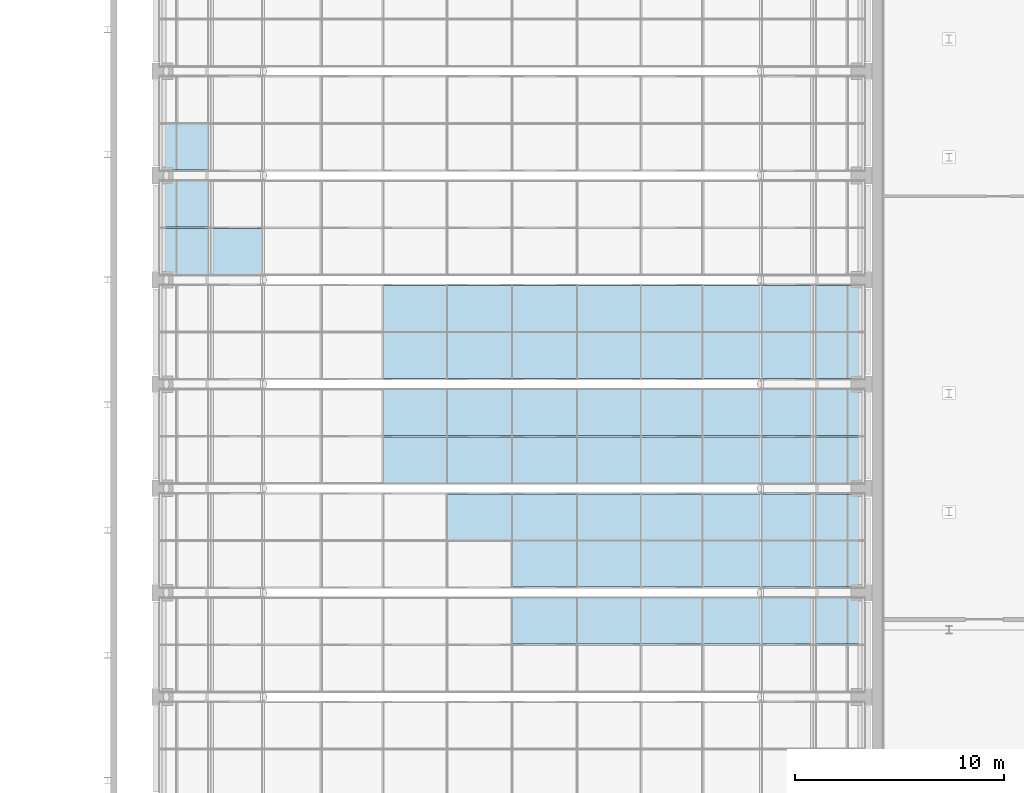
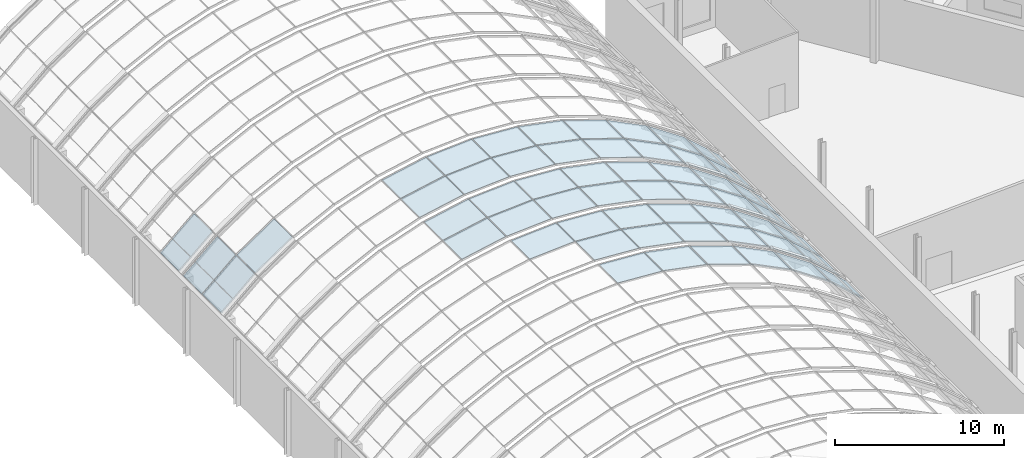
# One storey, part 114 of 182: 55 plates, 6 elements without a shape of their own.
"""IFC4 building model written with IfcOpenShell, lengths in metres."""

import ifcopenshell
import ifcopenshell.guid

model = None  # the IFC model being written
_history = None  # IfcOwnerHistory: only IFC2X3 demands one
_inside = {}  # id of a spatial element -> (the spatial element, [elements in it])
_under = {}  # id of a project, library or spatial element -> (it, [spatial elements below it])
_declared = {}  # id of a project -> (the project, [libraries it declares])
_typed = {}  # id of a type object -> (the type object, [elements of that type])
_made_of = {}  # id of a material, layer set ... -> (it, [elements and type objects made of it])


def new_model(schema):
    """Start an empty IFC model of exactly this schema.

    Asked for "IFC4X3", IfcOpenShell would pick the latest addendum, in which some entities
    have other attributes; the version numbers below select the first issue.
    IFC2X3 requires an IfcOwnerHistory on every rooted entity: one is made here for all.
    """
    global model, _history
    if schema == "IFC4X3":
        model = ifcopenshell.file(schema_version=(4, 3, 0, 0))
    else:
        model = ifcopenshell.file(schema=schema)
    _inside.clear()
    _under.clear()
    _declared.clear()
    _typed.clear()
    _made_of.clear()
    _history = None
    if model.schema == "IFC2X3":
        org = make("IfcOrganization", Name="unknown")
        user = make(
            "IfcPersonAndOrganization",
            ThePerson=make("IfcPerson", FamilyName="unknown"),
            TheOrganization=org,
        )
        app = make(
            "IfcApplication",
            ApplicationDeveloper=org,
            Version="unknown",
            ApplicationFullName="unknown",
            ApplicationIdentifier="unknown",
        )
        _history = make(
            "IfcOwnerHistory",
            OwningUser=user,
            OwningApplication=app,
            ChangeAction="ADDED",
            CreationDate=0,
        )
    return model


def make(cls, **values):
    """One entity of the class cls with the attributes given. An attribute that is None is left unset."""
    return model.create_entity(
        cls, **{name: value for name, value in values.items() if value is not None}
    )


def rooted(cls, **values):
    """An entity with a GlobalId (a new one), such as an element, a storey or a relation."""
    return make(cls, GlobalId=ifcopenshell.guid.new(), OwnerHistory=_history, **values)


def si_unit(unit_type, name, prefix=None):
    """IfcSIUnit, for example si_unit("LENGTHUNIT", "METRE", prefix="MILLI")."""
    return make("IfcSIUnit", UnitType=unit_type, Prefix=prefix, Name=name)


def assignment(units):
    """IfcUnitAssignment: the units of a project."""
    return None if units is None else make("IfcUnitAssignment", Units=units)


def point(xyz):
    """IfcCartesianPoint."""
    return None if xyz is None else make("IfcCartesianPoint", Coordinates=xyz)


def direction(xyz):
    """IfcDirection."""
    return None if xyz is None else make("IfcDirection", DirectionRatios=xyz)


def frame(location, z_axis=None, x_axis=None):
    """IfcAxis2Placement3D, a coordinate frame: its origin and axes. An axis left out is left unset."""
    return make(
        "IfcAxis2Placement3D",
        Location=point(location),
        Axis=direction(z_axis),
        RefDirection=direction(x_axis),
    )


def origin():
    """The frame at (0, 0, 0) with its axes left unset."""
    return frame((0.0, 0.0, 0.0))


def place(relative_to, where):
    """IfcLocalPlacement: puts the frame where relative to a parent placement (None: the world)."""
    return make(
        "IfcLocalPlacement", PlacementRelTo=relative_to, RelativePlacement=where
    )


def context(
    kind, dimensions, precision=None, world=None, true_north=None, identifier=None
):
    """IfcGeometricRepresentationContext, for example the 3D "Model" context."""
    return make(
        "IfcGeometricRepresentationContext",
        ContextIdentifier=identifier,
        ContextType=kind,
        CoordinateSpaceDimension=dimensions,
        Precision=precision,
        WorldCoordinateSystem=world,
        TrueNorth=true_north,
    )


def subcontext(parent, identifier, kind, view, scale=None):
    """IfcGeometricRepresentationSubContext, for example "Body" below "Model"."""
    return make(
        "IfcGeometricRepresentationSubContext",
        ContextIdentifier=identifier,
        ContextType=kind,
        ParentContext=parent,
        TargetScale=scale,
        TargetView=view,
    )


def project(units=None, contexts=None):
    """IfcProject with its units and contexts."""
    return rooted(
        "IfcProject",
        Name="project",
        RepresentationContexts=contexts,
        UnitsInContext=assignment(units),
    )


def spatial(cls, under=None, at=None, **own):
    """A site, building, storey or space (cls), placed at a placement, below another one or the project."""
    s = rooted(cls, ObjectPlacement=at, **own)
    if under is not None:
        _under.setdefault(under.id(), (under, []))[1].append(s)
    return s


def polyline(points):
    """IfcPolyline through the points."""
    return make("IfcPolyline", Points=[point(p) for p in points])


def outline(outer, holes=None, kind="AREA"):
    """IfcArbitraryClosedProfileDef: a profile drawn as a closed curve; with holes, ...WithVoids."""
    if holes is None:
        return make("IfcArbitraryClosedProfileDef", ProfileType=kind, OuterCurve=outer)
    return make(
        "IfcArbitraryProfileDefWithVoids",
        ProfileType=kind,
        OuterCurve=outer,
        InnerCurves=holes,
    )


def extrude(swept, where, along, depth):
    """IfcExtrudedAreaSolid: the profile swept, set in the frame where, extruded along a direction by depth."""
    return make(
        "IfcExtrudedAreaSolid",
        SweptArea=swept,
        Position=where,
        ExtrudedDirection=direction(along),
        Depth=depth,
    )


def shape(context_of_items, identifier, shape_type, items):
    """IfcShapeRepresentation: the items that make up one representation, for example the "Body"."""
    return make(
        "IfcShapeRepresentation",
        ContextOfItems=context_of_items,
        RepresentationIdentifier=identifier,
        RepresentationType=shape_type,
        Items=items,
    )


def material(Name=None, Category=None):
    """IfcMaterial."""
    return make("IfcMaterial", Name=Name, Category=Category)


def layer(
    of_material, thickness, ventilated=None, Name=None, Category=None, Priority=None
):
    """IfcMaterialLayer: one layer of a wall or slab, of a material (None: an air gap)."""
    return make(
        "IfcMaterialLayer",
        Material=of_material,
        LayerThickness=thickness,
        IsVentilated=ventilated,
        Name=Name,
        Category=Category,
        Priority=Priority,
    )


def layer_set(layers, Name=None):
    """IfcMaterialLayerSet."""
    return make("IfcMaterialLayerSet", MaterialLayers=layers, LayerSetName=Name)


def made_of(thing, what):
    """Note that an element or type object is made of a material, layer set ...; save() writes the relation."""
    if what is not None:
        _made_of.setdefault(what.id(), (what, []))[1].append(thing)
    return thing


def type_object(cls, material=None, **own):
    """A type object (cls), such as IfcWallType, which elements share."""
    return made_of(rooted(cls, **own), material)


def element(
    cls,
    number,
    at=None,
    inside=None,
    cuts=None,
    type_object=None,
    material=None,
    context=None,
    identifier="Body",
    shape_type=None,
    held_by="IfcProductDefinitionShape",
    body=None,
    shapes=None,
    **own,
):
    """One element of the class cls, such as IfcWall. Its Tag is "e" and its number.

    at: its placement. inside: the storey or other place that contains it. cuts: it is an
    opening in that element (IfcRelVoidsElement). A single representation is given by context,
    identifier, shape_type and body (its items); several are given by shapes. held_by: the class
    of the entity that holds the representations. save() writes the other relations.
    """
    e = rooted(cls, Tag="e%d" % number, ObjectPlacement=at, **own)
    if body is not None:
        shapes = [shape(context, identifier, shape_type, body)]
    if shapes is not None:
        e.Representation = make(held_by, Representations=shapes)
    if inside is not None:
        _inside.setdefault(inside.id(), (inside, []))[1].append(e)
    if cuts is not None:
        rooted(
            "IfcRelVoidsElement", RelatingBuildingElement=cuts, RelatedOpeningElement=e
        )
    if type_object is not None:
        _typed.setdefault(type_object.id(), (type_object, []))[1].append(e)
    return made_of(e, material)


def aggregate(whole, parts):
    """IfcRelAggregates: a whole, such as a stair, and the parts it consists of."""
    return rooted("IfcRelAggregates", RelatingObject=whole, RelatedObjects=parts)


def save(model, path):
    """Write the relations noted so far, then the file.

    IfcRelAggregates (storeys below a building ...), IfcRelContainedInSpatialStructure (elements
    in a storey), IfcRelDefinesByType, IfcRelAssociatesMaterial and IfcRelDeclares: one each for
    every whole, place, type object, material and project.
    """
    for whole, parts in _under.values():
        aggregate(whole, parts)
    for where, things in _inside.values():
        rooted(
            "IfcRelContainedInSpatialStructure",
            RelatedElements=things,
            RelatingStructure=where,
        )
    for kind, things in _typed.values():
        rooted("IfcRelDefinesByType", RelatedObjects=things, RelatingType=kind)
    for what, things in _made_of.values():
        rooted("IfcRelAssociatesMaterial", RelatedObjects=things, RelatingMaterial=what)
    for by, libraries in _declared.values():
        rooted("IfcRelDeclares", RelatingContext=by, RelatedDefinitions=libraries)
    model.write(path)


model = new_model("IFC4")

# Units and contexts
model_context = context("Model", 3, precision=1e-05, world=origin(), true_north=direction((0.0, 1.0)))
body_context = subcontext(model_context, "Body", "Model", "MODEL_VIEW")
ifc_project = project(units=[si_unit("LENGTHUNIT", "METRE"), si_unit("AREAUNIT", "SQUARE_METRE"), si_unit("VOLUMEUNIT", "CUBIC_METRE"), si_unit("PLANEANGLEUNIT", "RADIAN"), si_unit("MASSUNIT", "GRAM", prefix="KILO")], contexts=[model_context])

# Site, building, storey
site_placement = place(None, origin())
site = spatial("IfcSite", under=ifc_project, at=site_placement, CompositionType="ELEMENT")
building_placement = place(site_placement, origin())
building = spatial("IfcBuilding", under=site, at=building_placement, Name="Okhra Congress Centre", CompositionType="ELEMENT")
storey_placement = place(building_placement, frame((0.0, 0.0, 7.199951171875)))
storey = spatial("IfcBuildingStorey", under=building, at=storey_placement, Name="L01", CompositionType="ELEMENT", Elevation=7.199951171875)

# Curtain wall, plates
ifc_material_1 = material(Name="Aluminium frame with triple glazing", Category="aluminium")
curtain_wall_type = type_object("IfcCurtainWallType", Name="Glazed vault bay curtain wall", PredefinedType="NOTDEFINED", material=ifc_material_1)
curtain_wall_1_placement = place(storey_placement, origin())
curtain_wall_1 = element("IfcCurtainWall", 1, at=curtain_wall_1_placement, inside=storey, type_object=curtain_wall_type, Name="Vault glazing bay 19", PredefinedType="NOTDEFINED")
ifc_material_2 = material(Name="Laminated toughened glass unit, low-e coating", Category="glass")
ifc_layer_1 = layer(ifc_material_2, 0.035888671875)
ifc_layer_set_1 = layer_set([ifc_layer_1], Name="Laminated safety glazing unit 36 mm")
plate_type_1 = type_object("IfcPlateType", Name="Laminated safety glazing unit 36 mm", PredefinedType="CURTAIN_PANEL", material=ifc_layer_set_1)
plate_1_placement = place(storey_placement, frame((184.217529296875, 168.530029296875, 5.729248046875), z_axis=(0.55946738617, 0.0, 0.82885236551), x_axis=(0.82885236551, 0.0, -0.55946738617)))
plate_1 = element("IfcPlate", 2, at=plate_1_placement, type_object=plate_type_1, Name="Vault glass panel 19.2.11", PredefinedType="CURTAIN_PANEL", context=body_context, shape_type="SweptSolid", body=[
    extrude(outline(polyline([(0.0, 0.0), (3.0668817430899797, 0.0), (3.0668817430899797, 2.206787109375), (0.0, 2.206787109375), (0.0, 0.0)])), origin(), (0.0, 0.0, -1.0), 0.035888671875),
])
plate_2_placement = place(storey_placement, frame((186.806640625, 168.530029296875, 3.976806640625), z_axis=(0.663696509452, 0.0, 0.748001967472), x_axis=(0.748001967472, 0.0, -0.663696509452)))
plate_2 = element("IfcPlate", 3, at=plate_2_placement, type_object=plate_type_1, Name="Vault glass panel 19.2.12", PredefinedType="CURTAIN_PANEL", context=body_context, shape_type="SweptSolid", body=[
    extrude(outline(polyline([(0.0, 0.0), (3.066763741617069, 0.0), (3.066763741617069, 2.206787109375), (0.0, 2.206787109375), (0.0, 0.0)])), origin(), (0.0, 0.0, -1.0), 0.035888671875),
])

curtain_wall_2_placement = place(storey_placement, origin())
curtain_wall_2 = element("IfcCurtainWall", 4, at=curtain_wall_2_placement, inside=storey, type_object=curtain_wall_type, Name="Vault glazing bay 20", PredefinedType="NOTDEFINED")
plate_3_placement = place(storey_placement, frame((184.217529296875, 171.26318359375, 5.729248046875), z_axis=(0.55946738617, 0.0, 0.82885236551), x_axis=(0.82885236551, 0.0, -0.55946738617)))
plate_3 = element("IfcPlate", 5, at=plate_3_placement, type_object=plate_type_1, Name="Vault glass panel 20.1.11", PredefinedType="CURTAIN_PANEL", context=body_context, shape_type="SweptSolid", body=[
    extrude(outline(polyline([(0.0, 0.0), (3.0668817430899797, 0.0), (3.0668817430899797, 2.206787109375), (0.0, 2.206787109375), (0.0, 0.0)])), origin(), (0.0, 0.0, -1.0), 0.035888671875),
])
plate_4_placement = place(storey_placement, frame((186.806640625, 171.26318359375, 3.976806640625), z_axis=(0.663696509452, 0.0, 0.748001967472), x_axis=(0.748001967472, 0.0, -0.663696509452)))
plate_4 = element("IfcPlate", 6, at=plate_4_placement, type_object=plate_type_1, Name="Vault glass panel 20.1.12", PredefinedType="CURTAIN_PANEL", context=body_context, shape_type="SweptSolid", body=[
    extrude(outline(polyline([(0.0, 0.0), (3.066763741617069, 0.0), (3.066763741617069, 2.206787109375), (0.0, 2.206787109375), (0.0, 0.0)])), origin(), (0.0, 0.0, -1.0), 0.035888671875),
])
plate_5_placement = place(storey_placement, frame((184.217529296875, 173.530029296875, 5.729248046875), z_axis=(0.55946738617, 0.0, 0.82885236551), x_axis=(0.82885236551, 0.0, -0.55946738617)))
plate_5 = element("IfcPlate", 7, at=plate_5_placement, type_object=plate_type_1, Name="Vault glass panel 20.2.11", PredefinedType="CURTAIN_PANEL", context=body_context, shape_type="SweptSolid", body=[
    extrude(outline(polyline([(0.0, 0.0), (3.0668817430899797, 0.0), (3.0668817430899797, 2.206787109375), (0.0, 2.206787109375), (0.0, 0.0)])), origin(), (0.0, 0.0, -1.0), 0.035888671875),
])
plate_6_placement = place(storey_placement, frame((186.806640625, 173.530029296875, 3.976806640625), z_axis=(0.663696509452, 0.0, 0.748001967472), x_axis=(0.748001967472, 0.0, -0.663696509452)))
plate_6 = element("IfcPlate", 8, at=plate_6_placement, type_object=plate_type_1, Name="Vault glass panel 20.2.12", PredefinedType="CURTAIN_PANEL", context=body_context, shape_type="SweptSolid", body=[
    extrude(outline(polyline([(0.0, 0.0), (3.066763741617069, 0.0), (3.066763741617069, 2.206787109375), (0.0, 2.206787109375), (0.0, 0.0)])), origin(), (0.0, 0.0, -1.0), 0.035888671875),
])

curtain_wall_3_placement = place(storey_placement, origin())
curtain_wall_3 = element("IfcCurtainWall", 9, at=curtain_wall_3_placement, inside=storey, type_object=curtain_wall_type, Name="Vault glazing bay 21", PredefinedType="NOTDEFINED")
plate_7_placement = place(storey_placement, frame((184.217529296875, 176.26318359375, 5.729248046875), z_axis=(0.55946738617, 0.0, 0.82885236551), x_axis=(0.82885236551, 0.0, -0.55946738617)))
plate_7 = element("IfcPlate", 10, at=plate_7_placement, type_object=plate_type_1, Name="Vault glass panel 21.1.11", PredefinedType="CURTAIN_PANEL", context=body_context, shape_type="SweptSolid", body=[
    extrude(outline(polyline([(0.0, 0.0), (3.0668817430899797, 0.0), (3.0668817430899797, 2.206787109375), (0.0, 2.206787109375), (0.0, 0.0)])), origin(), (0.0, 0.0, -1.0), 0.035888671875),
])
plate_8_placement = place(storey_placement, frame((186.806640625, 176.26318359375, 3.976806640625), z_axis=(0.663696509452, 0.0, 0.748001967472), x_axis=(0.748001967472, 0.0, -0.663696509452)))
plate_8 = element("IfcPlate", 11, at=plate_8_placement, type_object=plate_type_1, Name="Vault glass panel 21.1.12", PredefinedType="CURTAIN_PANEL", context=body_context, shape_type="SweptSolid", body=[
    extrude(outline(polyline([(0.0, 0.0), (3.066763741617069, 0.0), (3.066763741617069, 2.206787109375), (0.0, 2.206787109375), (0.0, 0.0)])), origin(), (0.0, 0.0, -1.0), 0.035888671875),
])
plate_9_placement = place(storey_placement, frame((184.217529296875, 178.530029296875, 5.729248046875), z_axis=(0.55946738617, 0.0, 0.82885236551), x_axis=(0.82885236551, 0.0, -0.55946738617)))
plate_9 = element("IfcPlate", 12, at=plate_9_placement, type_object=plate_type_1, Name="Vault glass panel 21.2.11", PredefinedType="CURTAIN_PANEL", context=body_context, shape_type="SweptSolid", body=[
    extrude(outline(polyline([(0.0, 0.0), (3.0668817430899797, 0.0), (3.0668817430899797, 2.206787109375), (0.0, 2.206787109375), (0.0, 0.0)])), origin(), (0.0, 0.0, -1.0), 0.035888671875),
])
plate_10_placement = place(storey_placement, frame((186.806640625, 178.530029296875, 3.976806640625), z_axis=(0.663696509452, 0.0, 0.748001967472), x_axis=(0.748001967472, 0.0, -0.663696509452)))
plate_10 = element("IfcPlate", 13, at=plate_10_placement, type_object=plate_type_1, Name="Vault glass panel 21.2.12", PredefinedType="CURTAIN_PANEL", context=body_context, shape_type="SweptSolid", body=[
    extrude(outline(polyline([(0.0, 0.0), (3.066763741617069, 0.0), (3.066763741617069, 2.206787109375), (0.0, 2.206787109375), (0.0, 0.0)])), origin(), (0.0, 0.0, -1.0), 0.035888671875),
])

curtain_wall_4_placement = place(storey_placement, origin())
curtain_wall_4 = element("IfcCurtainWall", 14, at=curtain_wall_4_placement, inside=storey, type_object=curtain_wall_type, Name="Vault glazing bay 22", PredefinedType="NOTDEFINED")
plate_11_placement = place(storey_placement, frame((184.217529296875, 181.26318359375, 5.729248046875), z_axis=(0.55946738617, 0.0, 0.82885236551), x_axis=(0.82885236551, 0.0, -0.55946738617)))
plate_11 = element("IfcPlate", 15, at=plate_11_placement, type_object=plate_type_1, Name="Vault glass panel 22.1.11", PredefinedType="CURTAIN_PANEL", context=body_context, shape_type="SweptSolid", body=[
    extrude(outline(polyline([(0.0, 0.0), (3.0668817430899797, 0.0), (3.0668817430899797, 2.206787109375), (0.0, 2.206787109375), (0.0, 0.0)])), origin(), (0.0, 0.0, -1.0), 0.035888671875),
])
plate_12_placement = place(storey_placement, frame((186.806640625, 181.26318359375, 3.976806640625), z_axis=(0.663696509452, 0.0, 0.748001967472), x_axis=(0.748001967472, 0.0, -0.663696509452)))
plate_12 = element("IfcPlate", 16, at=plate_12_placement, type_object=plate_type_1, Name="Vault glass panel 22.1.12", PredefinedType="CURTAIN_PANEL", context=body_context, shape_type="SweptSolid", body=[
    extrude(outline(polyline([(0.0, 0.0), (3.066763741617069, 0.0), (3.066763741617069, 2.206787109375), (0.0, 2.206787109375), (0.0, 0.0)])), origin(), (0.0, 0.0, -1.0), 0.035888671875),
])
plate_13_placement = place(storey_placement, frame((184.217529296875, 183.530029296875, 5.729248046875), z_axis=(0.55946738617, 0.0, 0.82885236551), x_axis=(0.82885236551, 0.0, -0.55946738617)))
plate_13 = element("IfcPlate", 17, at=plate_13_placement, type_object=plate_type_1, Name="Vault glass panel 22.2.11", PredefinedType="CURTAIN_PANEL", context=body_context, shape_type="SweptSolid", body=[
    extrude(outline(polyline([(0.0, 0.0), (3.0668817430899797, 0.0), (3.0668817430899797, 2.206787109375), (0.0, 2.206787109375), (0.0, 0.0)])), origin(), (0.0, 0.0, -1.0), 0.035888671875),
])
plate_14_placement = place(storey_placement, frame((186.806640625, 183.530029296875, 3.976806640625), z_axis=(0.663696509452, 0.0, 0.748001967472), x_axis=(0.748001967472, 0.0, -0.663696509452)))
plate_14 = element("IfcPlate", 18, at=plate_14_placement, type_object=plate_type_1, Name="Vault glass panel 22.2.12", PredefinedType="CURTAIN_PANEL", context=body_context, shape_type="SweptSolid", body=[
    extrude(outline(polyline([(0.0, 0.0), (3.066763741617069, 0.0), (3.066763741617069, 2.206787109375), (0.0, 2.206787109375), (0.0, 0.0)])), origin(), (0.0, 0.0, -1.0), 0.035888671875),
])

curtain_wall_5_placement = place(storey_placement, origin())
curtain_wall_5 = element("IfcCurtainWall", 19, at=curtain_wall_5_placement, inside=storey, type_object=curtain_wall_type, Name="Vault glazing bay 23", PredefinedType="NOTDEFINED")
plate_15_placement = place(storey_placement, frame((155.3994140625, 186.26318359375, 1.94140625), z_axis=(-0.663696509452, 0.0, 0.748001967472), x_axis=(0.748001967472, 0.0, 0.663696509452)))
plate_15 = element("IfcPlate", 20, at=plate_15_placement, type_object=plate_type_1, Name="Vault glass panel 23.1.1", PredefinedType="CURTAIN_PANEL", context=body_context, shape_type="SweptSolid", body=[
    extrude(outline(polyline([(0.0, 0.0), (3.066763741617069, 0.0), (3.066763741617069, 2.206787109375), (0.0, 2.206787109375), (0.0, 0.0)])), origin(), (0.0, 0.0, -1.0), 0.035888671875),
])
plate_16_placement = place(storey_placement, frame((157.740478515625, 186.26318359375, 4.013427734375), z_axis=(-0.55946738617, 0.0, 0.82885236551), x_axis=(0.82885236551, 0.0, 0.55946738617)))
plate_16 = element("IfcPlate", 21, at=plate_16_placement, type_object=plate_type_1, Name="Vault glass panel 23.1.2", PredefinedType="CURTAIN_PANEL", context=body_context, shape_type="SweptSolid", body=[
    extrude(outline(polyline([(0.0, 0.0), (3.0668817430899797, 0.0), (3.0668817430899797, 2.206787109375), (0.0, 2.206787109375), (0.0, 0.0)])), origin(), (0.0, 0.0, -1.0), 0.035888671875),
])
plate_17_placement = place(storey_placement, frame((155.3994140625, 188.530029296875, 1.94140625), z_axis=(-0.663696509452, 0.0, 0.748001967472), x_axis=(0.748001967472, 0.0, 0.663696509452)))
plate_17 = element("IfcPlate", 22, at=plate_17_placement, type_object=plate_type_1, Name="Vault glass panel 23.2.1", PredefinedType="CURTAIN_PANEL", context=body_context, shape_type="SweptSolid", body=[
    extrude(outline(polyline([(0.0, 0.0), (3.066763741617069, 0.0), (3.066763741617069, 2.206787109375), (0.0, 2.206787109375), (0.0, 0.0)])), origin(), (0.0, 0.0, -1.0), 0.035888671875),
])
aggregate(curtain_wall_5, [plate_15, plate_16, plate_17])

# Curtain wall, plate
curtain_wall_6_placement = place(storey_placement, origin())
curtain_wall_6 = element("IfcCurtainWall", 23, at=curtain_wall_6_placement, inside=storey, type_object=curtain_wall_type, Name="Vault glazing bay 24", PredefinedType="NOTDEFINED")
plate_18_placement = place(storey_placement, frame((155.3994140625, 191.26318359375, 1.94140625), z_axis=(-0.663696509452, 0.0, 0.748001967472), x_axis=(0.748001967472, 0.0, 0.663696509452)))
plate_18 = element("IfcPlate", 24, at=plate_18_placement, type_object=plate_type_1, Name="Vault glass panel 24.1.1", PredefinedType="CURTAIN_PANEL", context=body_context, shape_type="SweptSolid", body=[
    extrude(outline(polyline([(0.0, 0.0), (3.066763741617069, 0.0), (3.066763741617069, 2.206787109375), (0.0, 2.206787109375), (0.0, 0.0)])), origin(), (0.0, 0.0, -1.0), 0.035888671875),
])
aggregate(curtain_wall_6, [plate_18])

# Plate
ifc_material_3 = material(Name="Toughened triple glazed unit")
ifc_layer_2 = layer(ifc_material_3, 0.028076171875)
ifc_layer_set_2 = layer_set([ifc_layer_2], Name="Triple glazed unit 28 mm")
plate_type_2 = type_object("IfcPlateType", Name="Triple glazed unit 28 mm", PredefinedType="CURTAIN_PANEL", material=ifc_layer_set_2)
plate_19_placement = place(storey_placement, frame((172.280029296875, 168.530029296875, 8.967041015625), z_axis=(0.065932355807, 0.0, 0.997824094947), x_axis=(0.997824094947, 0.0, -0.065932355807)))
plate_19 = element("IfcPlate", 25, at=plate_19_placement, type_object=plate_type_2, Name="Vault glass panel 19.2.7", PredefinedType="CURTAIN_PANEL", context=body_context, shape_type="SweptSolid", body=[
    extrude(outline(polyline([(0.0, 0.0), (3.0659974913073613, 0.0), (3.0659974913073613, 2.2067871093750004), (0.0, 2.2067871093750004), (0.0, 0.0)])), origin(), (0.0, 0.0, -1.0), 0.028076171875),
])

plate_20_placement = place(storey_placement, frame((175.398681640625, 168.530029296875, 8.757080078125), z_axis=(0.196667336174, 0.0, 0.980470274349), x_axis=(0.980470274349, 0.0, -0.196667336174)))
plate_20 = element("IfcPlate", 26, at=plate_20_placement, type_object=plate_type_2, Name="Vault glass panel 19.2.8", PredefinedType="CURTAIN_PANEL", context=body_context, shape_type="SweptSolid", body=[
    extrude(outline(polyline([(0.0, 0.0), (3.0662302926476426, 0.0), (3.0662302926476426, 2.206787109375), (0.0, 2.206787109375), (0.0, 0.0)])), origin(), (0.0, 0.0, -1.0), 0.028076171875),
])

plate_21_placement = place(storey_placement, frame((178.462890625, 168.530029296875, 8.138427734375), z_axis=(0.323909017048, 0.0, 0.946088235143), x_axis=(0.946088235143, 0.0, -0.323909017048)))
plate_21 = element("IfcPlate", 27, at=plate_21_placement, type_object=plate_type_2, Name="Vault glass panel 19.2.9", PredefinedType="CURTAIN_PANEL", context=body_context, shape_type="SweptSolid", body=[
    extrude(outline(polyline([(0.0, 0.0), (3.0661822000278622, 0.0), (3.0661822000278622, 2.2067871093750004), (0.0, 2.2067871093750004), (0.0, 0.0)])), origin(), (0.0, 0.0, -1.0), 0.028076171875),
])

plate_22_placement = place(storey_placement, frame((181.4189453125, 168.530029296875, 7.122314453125), z_axis=(0.445588482535, 0.0, 0.895237903706), x_axis=(0.895237903706, 0.0, -0.445588482535)))
plate_22 = element("IfcPlate", 28, at=plate_22_placement, type_object=plate_type_2, Name="Vault glass panel 19.2.10", PredefinedType="CURTAIN_PANEL", context=body_context, shape_type="SweptSolid", body=[
    extrude(outline(polyline([(0.0, 0.0), (3.066082250887193, 0.0), (3.066082250887193, 2.206787109375), (0.0, 2.206787109375), (0.0, 0.0)])), origin(), (0.0, 0.0, -1.0), 0.028076171875),
])

aggregate(curtain_wall_1, [plate_19, plate_20, plate_21, plate_22, plate_1, plate_2])

plate_23_placement = place(storey_placement, frame((172.280029296875, 171.26318359375, 8.967041015625), z_axis=(0.065932355807, 0.0, 0.997824094947), x_axis=(0.997824094947, 0.0, -0.065932355807)))
plate_23 = element("IfcPlate", 29, at=plate_23_placement, type_object=plate_type_2, Name="Vault glass panel 20.1.7", PredefinedType="CURTAIN_PANEL", context=body_context, shape_type="SweptSolid", body=[
    extrude(outline(polyline([(0.0, 0.0), (3.0659974913073613, 0.0), (3.0659974913073613, 2.2067871093750004), (0.0, 2.2067871093750004), (0.0, 0.0)])), origin(), (0.0, 0.0, -1.0), 0.028076171875),
])

plate_24_placement = place(storey_placement, frame((175.398681640625, 171.26318359375, 8.757080078125), z_axis=(0.196667336174, 0.0, 0.980470274349), x_axis=(0.980470274349, 0.0, -0.196667336174)))
plate_24 = element("IfcPlate", 30, at=plate_24_placement, type_object=plate_type_2, Name="Vault glass panel 20.1.8", PredefinedType="CURTAIN_PANEL", context=body_context, shape_type="SweptSolid", body=[
    extrude(outline(polyline([(0.0, 0.0), (3.0662302926476426, 0.0), (3.0662302926476426, 2.206787109375), (0.0, 2.206787109375), (0.0, 0.0)])), origin(), (0.0, 0.0, -1.0), 0.028076171875),
])

plate_25_placement = place(storey_placement, frame((178.462890625, 171.26318359375, 8.138427734375), z_axis=(0.323909017048, 0.0, 0.946088235143), x_axis=(0.946088235143, 0.0, -0.323909017048)))
plate_25 = element("IfcPlate", 31, at=plate_25_placement, type_object=plate_type_2, Name="Vault glass panel 20.1.9", PredefinedType="CURTAIN_PANEL", context=body_context, shape_type="SweptSolid", body=[
    extrude(outline(polyline([(0.0, 0.0), (3.0661822000278622, 0.0), (3.0661822000278622, 2.2067871093750004), (0.0, 2.2067871093750004), (0.0, 0.0)])), origin(), (0.0, 0.0, -1.0), 0.028076171875),
])

plate_26_placement = place(storey_placement, frame((181.4189453125, 171.26318359375, 7.122314453125), z_axis=(0.445588482535, 0.0, 0.895237903706), x_axis=(0.895237903706, 0.0, -0.445588482535)))
plate_26 = element("IfcPlate", 32, at=plate_26_placement, type_object=plate_type_2, Name="Vault glass panel 20.1.10", PredefinedType="CURTAIN_PANEL", context=body_context, shape_type="SweptSolid", body=[
    extrude(outline(polyline([(0.0, 0.0), (3.066082250887193, 0.0), (3.066082250887193, 2.206787109375), (0.0, 2.206787109375), (0.0, 0.0)])), origin(), (0.0, 0.0, -1.0), 0.028076171875),
])

plate_27_placement = place(storey_placement, frame((169.16064453125, 173.530029296875, 8.764892578125), z_axis=(-0.065932355807, 0.0, 0.997824094947), x_axis=(0.997824094947, 0.0, 0.065932355807)))
plate_27 = element("IfcPlate", 33, at=plate_27_placement, type_object=plate_type_2, Name="Vault glass panel 20.2.6", PredefinedType="CURTAIN_PANEL", context=body_context, shape_type="SweptSolid", body=[
    extrude(outline(polyline([(0.0, 0.0), (3.0659974913073613, 0.0), (3.0659974913073613, 2.2067871093750004), (0.0, 2.2067871093750004), (0.0, 0.0)])), origin(), (0.0, 0.0, -1.0), 0.028076171875),
])

plate_28_placement = place(storey_placement, frame((172.280029296875, 173.530029296875, 8.967041015625), z_axis=(0.065932355807, 0.0, 0.997824094947), x_axis=(0.997824094947, 0.0, -0.065932355807)))
plate_28 = element("IfcPlate", 34, at=plate_28_placement, type_object=plate_type_2, Name="Vault glass panel 20.2.7", PredefinedType="CURTAIN_PANEL", context=body_context, shape_type="SweptSolid", body=[
    extrude(outline(polyline([(0.0, 0.0), (3.0659974913073613, 0.0), (3.0659974913073613, 2.2067871093750004), (0.0, 2.2067871093750004), (0.0, 0.0)])), origin(), (0.0, 0.0, -1.0), 0.028076171875),
])

plate_29_placement = place(storey_placement, frame((175.398681640625, 173.530029296875, 8.757080078125), z_axis=(0.196667336174, 0.0, 0.980470274349), x_axis=(0.980470274349, 0.0, -0.196667336174)))
plate_29 = element("IfcPlate", 35, at=plate_29_placement, type_object=plate_type_2, Name="Vault glass panel 20.2.8", PredefinedType="CURTAIN_PANEL", context=body_context, shape_type="SweptSolid", body=[
    extrude(outline(polyline([(0.0, 0.0), (3.0662302926476426, 0.0), (3.0662302926476426, 2.206787109375), (0.0, 2.206787109375), (0.0, 0.0)])), origin(), (0.0, 0.0, -1.0), 0.028076171875),
])

plate_30_placement = place(storey_placement, frame((178.462890625, 173.530029296875, 8.138427734375), z_axis=(0.323909017048, 0.0, 0.946088235143), x_axis=(0.946088235143, 0.0, -0.323909017048)))
plate_30 = element("IfcPlate", 36, at=plate_30_placement, type_object=plate_type_2, Name="Vault glass panel 20.2.9", PredefinedType="CURTAIN_PANEL", context=body_context, shape_type="SweptSolid", body=[
    extrude(outline(polyline([(0.0, 0.0), (3.0661822000278622, 0.0), (3.0661822000278622, 2.2067871093750004), (0.0, 2.2067871093750004), (0.0, 0.0)])), origin(), (0.0, 0.0, -1.0), 0.028076171875),
])

plate_31_placement = place(storey_placement, frame((181.4189453125, 173.530029296875, 7.122314453125), z_axis=(0.445588482535, 0.0, 0.895237903706), x_axis=(0.895237903706, 0.0, -0.445588482535)))
plate_31 = element("IfcPlate", 37, at=plate_31_placement, type_object=plate_type_2, Name="Vault glass panel 20.2.10", PredefinedType="CURTAIN_PANEL", context=body_context, shape_type="SweptSolid", body=[
    extrude(outline(polyline([(0.0, 0.0), (3.066082250887193, 0.0), (3.066082250887193, 2.206787109375), (0.0, 2.206787109375), (0.0, 0.0)])), origin(), (0.0, 0.0, -1.0), 0.028076171875),
])

aggregate(curtain_wall_2, [plate_23, plate_24, plate_25, plate_26, plate_3, plate_4, plate_27, plate_28, plate_29, plate_30, plate_31, plate_5, plate_6])

plate_32_placement = place(storey_placement, frame((166.094970703125, 176.26318359375, 8.154052734375), z_axis=(-0.196667336174, 0.0, 0.980470274349), x_axis=(0.980470274349, 0.0, 0.196667336174)))
plate_32 = element("IfcPlate", 38, at=plate_32_placement, type_object=plate_type_2, Name="Vault glass panel 21.1.5", PredefinedType="CURTAIN_PANEL", context=body_context, shape_type="SweptSolid", body=[
    extrude(outline(polyline([(0.0, 0.0), (3.0662302926476426, 0.0), (3.0662302926476426, 2.206787109375), (0.0, 2.206787109375), (0.0, 0.0)])), origin(), (0.0, 0.0, -1.0), 0.028076171875),
])

plate_33_placement = place(storey_placement, frame((169.16064453125, 176.26318359375, 8.764892578125), z_axis=(-0.065932355807, 0.0, 0.997824094947), x_axis=(0.997824094947, 0.0, 0.065932355807)))
plate_33 = element("IfcPlate", 39, at=plate_33_placement, type_object=plate_type_2, Name="Vault glass panel 21.1.6", PredefinedType="CURTAIN_PANEL", context=body_context, shape_type="SweptSolid", body=[
    extrude(outline(polyline([(0.0, 0.0), (3.0659974913073613, 0.0), (3.0659974913073613, 2.2067871093750004), (0.0, 2.2067871093750004), (0.0, 0.0)])), origin(), (0.0, 0.0, -1.0), 0.028076171875),
])

plate_34_placement = place(storey_placement, frame((172.280029296875, 176.26318359375, 8.967041015625), z_axis=(0.065932355807, 0.0, 0.997824094947), x_axis=(0.997824094947, 0.0, -0.065932355807)))
plate_34 = element("IfcPlate", 40, at=plate_34_placement, type_object=plate_type_2, Name="Vault glass panel 21.1.7", PredefinedType="CURTAIN_PANEL", context=body_context, shape_type="SweptSolid", body=[
    extrude(outline(polyline([(0.0, 0.0), (3.0659974913073613, 0.0), (3.0659974913073613, 2.2067871093750004), (0.0, 2.2067871093750004), (0.0, 0.0)])), origin(), (0.0, 0.0, -1.0), 0.028076171875),
])

plate_35_placement = place(storey_placement, frame((175.398681640625, 176.26318359375, 8.757080078125), z_axis=(0.196667336174, 0.0, 0.980470274349), x_axis=(0.980470274349, 0.0, -0.196667336174)))
plate_35 = element("IfcPlate", 41, at=plate_35_placement, type_object=plate_type_2, Name="Vault glass panel 21.1.8", PredefinedType="CURTAIN_PANEL", context=body_context, shape_type="SweptSolid", body=[
    extrude(outline(polyline([(0.0, 0.0), (3.0662302926476426, 0.0), (3.0662302926476426, 2.206787109375), (0.0, 2.206787109375), (0.0, 0.0)])), origin(), (0.0, 0.0, -1.0), 0.028076171875),
])

plate_36_placement = place(storey_placement, frame((178.462890625, 176.26318359375, 8.138427734375), z_axis=(0.323909017048, 0.0, 0.946088235143), x_axis=(0.946088235143, 0.0, -0.323909017048)))
plate_36 = element("IfcPlate", 42, at=plate_36_placement, type_object=plate_type_2, Name="Vault glass panel 21.1.9", PredefinedType="CURTAIN_PANEL", context=body_context, shape_type="SweptSolid", body=[
    extrude(outline(polyline([(0.0, 0.0), (3.0661822000278622, 0.0), (3.0661822000278622, 2.2067871093750004), (0.0, 2.2067871093750004), (0.0, 0.0)])), origin(), (0.0, 0.0, -1.0), 0.028076171875),
])

plate_37_placement = place(storey_placement, frame((181.4189453125, 176.26318359375, 7.122314453125), z_axis=(0.445588482535, 0.0, 0.895237903706), x_axis=(0.895237903706, 0.0, -0.445588482535)))
plate_37 = element("IfcPlate", 43, at=plate_37_placement, type_object=plate_type_2, Name="Vault glass panel 21.1.10", PredefinedType="CURTAIN_PANEL", context=body_context, shape_type="SweptSolid", body=[
    extrude(outline(polyline([(0.0, 0.0), (3.066082250887193, 0.0), (3.066082250887193, 2.206787109375), (0.0, 2.206787109375), (0.0, 0.0)])), origin(), (0.0, 0.0, -1.0), 0.028076171875),
])

plate_38_placement = place(storey_placement, frame((166.094970703125, 178.530029296875, 8.154052734375), z_axis=(-0.196667336174, 0.0, 0.980470274349), x_axis=(0.980470274349, 0.0, 0.196667336174)))
plate_38 = element("IfcPlate", 44, at=plate_38_placement, type_object=plate_type_2, Name="Vault glass panel 21.2.5", PredefinedType="CURTAIN_PANEL", context=body_context, shape_type="SweptSolid", body=[
    extrude(outline(polyline([(0.0, 0.0), (3.0662302926476426, 0.0), (3.0662302926476426, 2.206787109375), (0.0, 2.206787109375), (0.0, 0.0)])), origin(), (0.0, 0.0, -1.0), 0.028076171875),
])

plate_39_placement = place(storey_placement, frame((169.16064453125, 178.530029296875, 8.764892578125), z_axis=(-0.065932355807, 0.0, 0.997824094947), x_axis=(0.997824094947, 0.0, 0.065932355807)))
plate_39 = element("IfcPlate", 45, at=plate_39_placement, type_object=plate_type_2, Name="Vault glass panel 21.2.6", PredefinedType="CURTAIN_PANEL", context=body_context, shape_type="SweptSolid", body=[
    extrude(outline(polyline([(0.0, 0.0), (3.0659974913073613, 0.0), (3.0659974913073613, 2.2067871093750004), (0.0, 2.2067871093750004), (0.0, 0.0)])), origin(), (0.0, 0.0, -1.0), 0.028076171875),
])

plate_40_placement = place(storey_placement, frame((172.280029296875, 178.530029296875, 8.967041015625), z_axis=(0.065932355807, 0.0, 0.997824094947), x_axis=(0.997824094947, 0.0, -0.065932355807)))
plate_40 = element("IfcPlate", 46, at=plate_40_placement, type_object=plate_type_2, Name="Vault glass panel 21.2.7", PredefinedType="CURTAIN_PANEL", context=body_context, shape_type="SweptSolid", body=[
    extrude(outline(polyline([(0.0, 0.0), (3.0659974913073613, 0.0), (3.0659974913073613, 2.2067871093750004), (0.0, 2.2067871093750004), (0.0, 0.0)])), origin(), (0.0, 0.0, -1.0), 0.028076171875),
])

plate_41_placement = place(storey_placement, frame((175.398681640625, 178.530029296875, 8.757080078125), z_axis=(0.196667336174, 0.0, 0.980470274349), x_axis=(0.980470274349, 0.0, -0.196667336174)))
plate_41 = element("IfcPlate", 47, at=plate_41_placement, type_object=plate_type_2, Name="Vault glass panel 21.2.8", PredefinedType="CURTAIN_PANEL", context=body_context, shape_type="SweptSolid", body=[
    extrude(outline(polyline([(0.0, 0.0), (3.0662302926476426, 0.0), (3.0662302926476426, 2.206787109375), (0.0, 2.206787109375), (0.0, 0.0)])), origin(), (0.0, 0.0, -1.0), 0.028076171875),
])

plate_42_placement = place(storey_placement, frame((178.462890625, 178.530029296875, 8.138427734375), z_axis=(0.323909017048, 0.0, 0.946088235143), x_axis=(0.946088235143, 0.0, -0.323909017048)))
plate_42 = element("IfcPlate", 48, at=plate_42_placement, type_object=plate_type_2, Name="Vault glass panel 21.2.9", PredefinedType="CURTAIN_PANEL", context=body_context, shape_type="SweptSolid", body=[
    extrude(outline(polyline([(0.0, 0.0), (3.0661822000278622, 0.0), (3.0661822000278622, 2.2067871093750004), (0.0, 2.2067871093750004), (0.0, 0.0)])), origin(), (0.0, 0.0, -1.0), 0.028076171875),
])

plate_43_placement = place(storey_placement, frame((181.4189453125, 178.530029296875, 7.122314453125), z_axis=(0.445588482535, 0.0, 0.895237903706), x_axis=(0.895237903706, 0.0, -0.445588482535)))
plate_43 = element("IfcPlate", 49, at=plate_43_placement, type_object=plate_type_2, Name="Vault glass panel 21.2.10", PredefinedType="CURTAIN_PANEL", context=body_context, shape_type="SweptSolid", body=[
    extrude(outline(polyline([(0.0, 0.0), (3.066082250887193, 0.0), (3.066082250887193, 2.206787109375), (0.0, 2.206787109375), (0.0, 0.0)])), origin(), (0.0, 0.0, -1.0), 0.028076171875),
])

aggregate(curtain_wall_3, [plate_32, plate_33, plate_34, plate_35, plate_36, plate_37, plate_7, plate_8, plate_38, plate_39, plate_40, plate_41, plate_42, plate_43, plate_9, plate_10])

plate_44_placement = place(storey_placement, frame((166.094970703125, 181.26318359375, 8.154052734375), z_axis=(-0.196667336174, 0.0, 0.980470274349), x_axis=(0.980470274349, 0.0, 0.196667336174)))
plate_44 = element("IfcPlate", 50, at=plate_44_placement, type_object=plate_type_2, Name="Vault glass panel 22.1.5", PredefinedType="CURTAIN_PANEL", context=body_context, shape_type="SweptSolid", body=[
    extrude(outline(polyline([(0.0, 0.0), (3.0662302926476426, 0.0), (3.0662302926476426, 2.206787109375), (0.0, 2.206787109375), (0.0, 0.0)])), origin(), (0.0, 0.0, -1.0), 0.028076171875),
])

plate_45_placement = place(storey_placement, frame((169.16064453125, 181.26318359375, 8.764892578125), z_axis=(-0.065932355807, 0.0, 0.997824094947), x_axis=(0.997824094947, 0.0, 0.065932355807)))
plate_45 = element("IfcPlate", 51, at=plate_45_placement, type_object=plate_type_2, Name="Vault glass panel 22.1.6", PredefinedType="CURTAIN_PANEL", context=body_context, shape_type="SweptSolid", body=[
    extrude(outline(polyline([(0.0, 0.0), (3.0659974913073613, 0.0), (3.0659974913073613, 2.2067871093750004), (0.0, 2.2067871093750004), (0.0, 0.0)])), origin(), (0.0, 0.0, -1.0), 0.028076171875),
])

plate_46_placement = place(storey_placement, frame((172.280029296875, 181.26318359375, 8.967041015625), z_axis=(0.065932355807, 0.0, 0.997824094947), x_axis=(0.997824094947, 0.0, -0.065932355807)))
plate_46 = element("IfcPlate", 52, at=plate_46_placement, type_object=plate_type_2, Name="Vault glass panel 22.1.7", PredefinedType="CURTAIN_PANEL", context=body_context, shape_type="SweptSolid", body=[
    extrude(outline(polyline([(0.0, 0.0), (3.0659974913073613, 0.0), (3.0659974913073613, 2.2067871093750004), (0.0, 2.2067871093750004), (0.0, 0.0)])), origin(), (0.0, 0.0, -1.0), 0.028076171875),
])

plate_47_placement = place(storey_placement, frame((175.398681640625, 181.26318359375, 8.757080078125), z_axis=(0.196667336174, 0.0, 0.980470274349), x_axis=(0.980470274349, 0.0, -0.196667336174)))
plate_47 = element("IfcPlate", 53, at=plate_47_placement, type_object=plate_type_2, Name="Vault glass panel 22.1.8", PredefinedType="CURTAIN_PANEL", context=body_context, shape_type="SweptSolid", body=[
    extrude(outline(polyline([(0.0, 0.0), (3.0662302926476426, 0.0), (3.0662302926476426, 2.206787109375), (0.0, 2.206787109375), (0.0, 0.0)])), origin(), (0.0, 0.0, -1.0), 0.028076171875),
])

plate_48_placement = place(storey_placement, frame((178.462890625, 181.26318359375, 8.138427734375), z_axis=(0.323909017048, 0.0, 0.946088235143), x_axis=(0.946088235143, 0.0, -0.323909017048)))
plate_48 = element("IfcPlate", 54, at=plate_48_placement, type_object=plate_type_2, Name="Vault glass panel 22.1.9", PredefinedType="CURTAIN_PANEL", context=body_context, shape_type="SweptSolid", body=[
    extrude(outline(polyline([(0.0, 0.0), (3.0661822000278622, 0.0), (3.0661822000278622, 2.2067871093750004), (0.0, 2.2067871093750004), (0.0, 0.0)])), origin(), (0.0, 0.0, -1.0), 0.028076171875),
])

plate_49_placement = place(storey_placement, frame((181.4189453125, 181.26318359375, 7.122314453125), z_axis=(0.445588482535, 0.0, 0.895237903706), x_axis=(0.895237903706, 0.0, -0.445588482535)))
plate_49 = element("IfcPlate", 55, at=plate_49_placement, type_object=plate_type_2, Name="Vault glass panel 22.1.10", PredefinedType="CURTAIN_PANEL", context=body_context, shape_type="SweptSolid", body=[
    extrude(outline(polyline([(0.0, 0.0), (3.066082250887193, 0.0), (3.066082250887193, 2.206787109375), (0.0, 2.206787109375), (0.0, 0.0)])), origin(), (0.0, 0.0, -1.0), 0.028076171875),
])

plate_50_placement = place(storey_placement, frame((166.094970703125, 183.530029296875, 8.154052734375), z_axis=(-0.196667336174, 0.0, 0.980470274349), x_axis=(0.980470274349, 0.0, 0.196667336174)))
plate_50 = element("IfcPlate", 56, at=plate_50_placement, type_object=plate_type_2, Name="Vault glass panel 22.2.5", PredefinedType="CURTAIN_PANEL", context=body_context, shape_type="SweptSolid", body=[
    extrude(outline(polyline([(0.0, 0.0), (3.0662302926476426, 0.0), (3.0662302926476426, 2.206787109375), (0.0, 2.206787109375), (0.0, 0.0)])), origin(), (0.0, 0.0, -1.0), 0.028076171875),
])

plate_51_placement = place(storey_placement, frame((169.16064453125, 183.530029296875, 8.764892578125), z_axis=(-0.065932355807, 0.0, 0.997824094947), x_axis=(0.997824094947, 0.0, 0.065932355807)))
plate_51 = element("IfcPlate", 57, at=plate_51_placement, type_object=plate_type_2, Name="Vault glass panel 22.2.6", PredefinedType="CURTAIN_PANEL", context=body_context, shape_type="SweptSolid", body=[
    extrude(outline(polyline([(0.0, 0.0), (3.0659974913073613, 0.0), (3.0659974913073613, 2.2067871093750004), (0.0, 2.2067871093750004), (0.0, 0.0)])), origin(), (0.0, 0.0, -1.0), 0.028076171875),
])

plate_52_placement = place(storey_placement, frame((172.280029296875, 183.530029296875, 8.967041015625), z_axis=(0.065932355807, 0.0, 0.997824094947), x_axis=(0.997824094947, 0.0, -0.065932355807)))
plate_52 = element("IfcPlate", 58, at=plate_52_placement, type_object=plate_type_2, Name="Vault glass panel 22.2.7", PredefinedType="CURTAIN_PANEL", context=body_context, shape_type="SweptSolid", body=[
    extrude(outline(polyline([(0.0, 0.0), (3.0659974913073613, 0.0), (3.0659974913073613, 2.2067871093750004), (0.0, 2.2067871093750004), (0.0, 0.0)])), origin(), (0.0, 0.0, -1.0), 0.028076171875),
])

plate_53_placement = place(storey_placement, frame((175.398681640625, 183.530029296875, 8.757080078125), z_axis=(0.196667336174, 0.0, 0.980470274349), x_axis=(0.980470274349, 0.0, -0.196667336174)))
plate_53 = element("IfcPlate", 59, at=plate_53_placement, type_object=plate_type_2, Name="Vault glass panel 22.2.8", PredefinedType="CURTAIN_PANEL", context=body_context, shape_type="SweptSolid", body=[
    extrude(outline(polyline([(0.0, 0.0), (3.0662302926476426, 0.0), (3.0662302926476426, 2.206787109375), (0.0, 2.206787109375), (0.0, 0.0)])), origin(), (0.0, 0.0, -1.0), 0.028076171875),
])

plate_54_placement = place(storey_placement, frame((178.462890625, 183.530029296875, 8.138427734375), z_axis=(0.323909017048, 0.0, 0.946088235143), x_axis=(0.946088235143, 0.0, -0.323909017048)))
plate_54 = element("IfcPlate", 60, at=plate_54_placement, type_object=plate_type_2, Name="Vault glass panel 22.2.9", PredefinedType="CURTAIN_PANEL", context=body_context, shape_type="SweptSolid", body=[
    extrude(outline(polyline([(0.0, 0.0), (3.0661822000278622, 0.0), (3.0661822000278622, 2.2067871093750004), (0.0, 2.2067871093750004), (0.0, 0.0)])), origin(), (0.0, 0.0, -1.0), 0.028076171875),
])

plate_55_placement = place(storey_placement, frame((181.4189453125, 183.530029296875, 7.122314453125), z_axis=(0.445588482535, 0.0, 0.895237903706), x_axis=(0.895237903706, 0.0, -0.445588482535)))
plate_55 = element("IfcPlate", 61, at=plate_55_placement, type_object=plate_type_2, Name="Vault glass panel 22.2.10", PredefinedType="CURTAIN_PANEL", context=body_context, shape_type="SweptSolid", body=[
    extrude(outline(polyline([(0.0, 0.0), (3.066082250887193, 0.0), (3.066082250887193, 2.206787109375), (0.0, 2.206787109375), (0.0, 0.0)])), origin(), (0.0, 0.0, -1.0), 0.028076171875),
])

aggregate(curtain_wall_4, [plate_44, plate_45, plate_46, plate_47, plate_48, plate_49, plate_11, plate_12, plate_50, plate_51, plate_52, plate_53, plate_54, plate_55, plate_13, plate_14])

save(model, "model.ifc")
